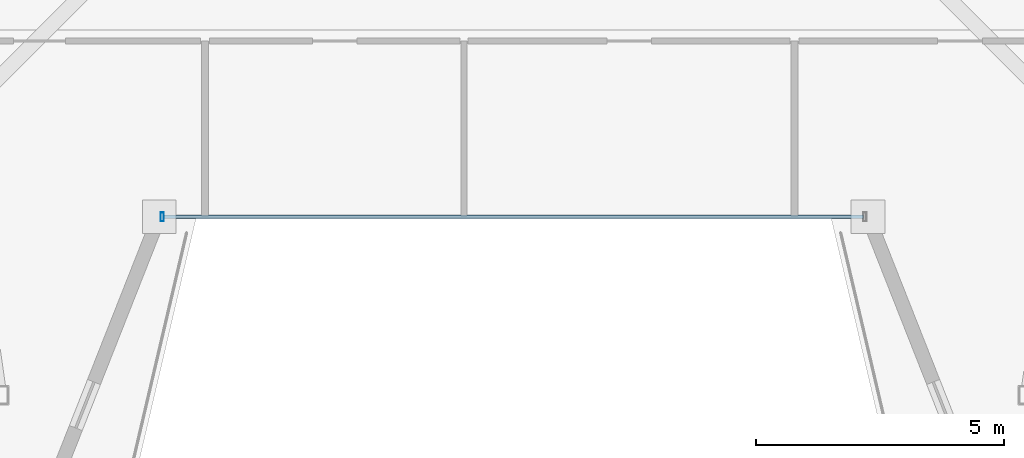
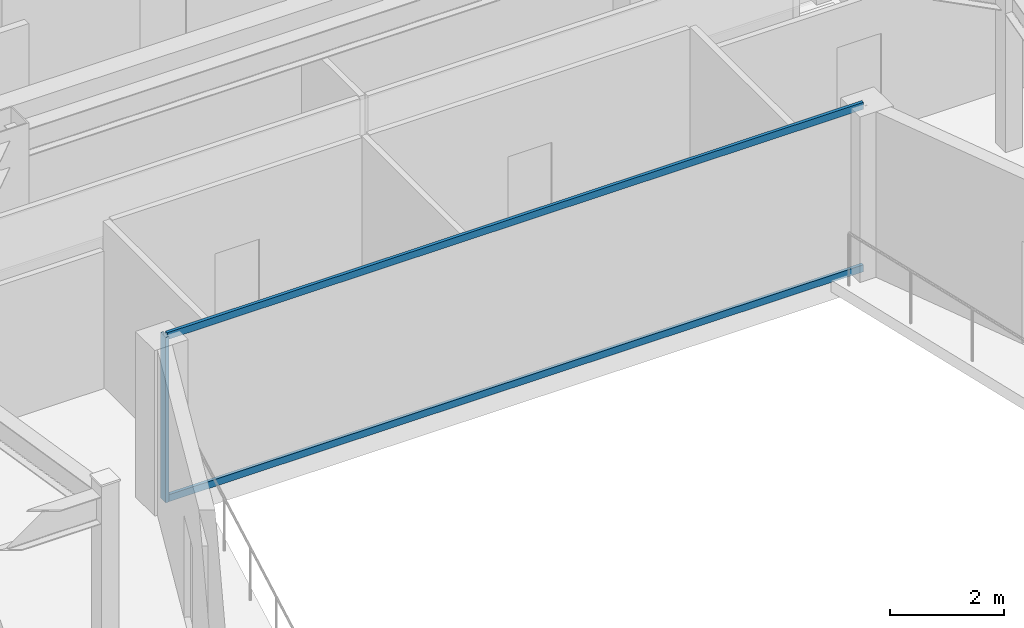
# One storey, part 5 of 25: 3 members, 1 element without a shape of its own.
"""IFC4 building model written with IfcOpenShell, lengths in metres."""

import ifcopenshell
import ifcopenshell.guid

model = None  # the IFC model being written
_history = None  # IfcOwnerHistory: only IFC2X3 demands one
_inside = {}  # id of a spatial element -> (the spatial element, [elements in it])
_under = {}  # id of a project, library or spatial element -> (it, [spatial elements below it])
_declared = {}  # id of a project -> (the project, [libraries it declares])
_typed = {}  # id of a type object -> (the type object, [elements of that type])
_made_of = {}  # id of a material, layer set ... -> (it, [elements and type objects made of it])


def new_model(schema):
    """Start an empty IFC model of exactly this schema.

    Asked for "IFC4X3", IfcOpenShell would pick the latest addendum, in which some entities
    have other attributes; the version numbers below select the first issue.
    IFC2X3 requires an IfcOwnerHistory on every rooted entity: one is made here for all.
    """
    global model, _history
    if schema == "IFC4X3":
        model = ifcopenshell.file(schema_version=(4, 3, 0, 0))
    else:
        model = ifcopenshell.file(schema=schema)
    _inside.clear()
    _under.clear()
    _declared.clear()
    _typed.clear()
    _made_of.clear()
    _history = None
    if model.schema == "IFC2X3":
        org = make("IfcOrganization", Name="unknown")
        user = make(
            "IfcPersonAndOrganization",
            ThePerson=make("IfcPerson", FamilyName="unknown"),
            TheOrganization=org,
        )
        app = make(
            "IfcApplication",
            ApplicationDeveloper=org,
            Version="unknown",
            ApplicationFullName="unknown",
            ApplicationIdentifier="unknown",
        )
        _history = make(
            "IfcOwnerHistory",
            OwningUser=user,
            OwningApplication=app,
            ChangeAction="ADDED",
            CreationDate=0,
        )
    return model


def make(cls, **values):
    """One entity of the class cls with the attributes given. An attribute that is None is left unset."""
    return model.create_entity(
        cls, **{name: value for name, value in values.items() if value is not None}
    )


def rooted(cls, **values):
    """An entity with a GlobalId (a new one), such as an element, a storey or a relation."""
    return make(cls, GlobalId=ifcopenshell.guid.new(), OwnerHistory=_history, **values)


def si_unit(unit_type, name, prefix=None):
    """IfcSIUnit, for example si_unit("LENGTHUNIT", "METRE", prefix="MILLI")."""
    return make("IfcSIUnit", UnitType=unit_type, Prefix=prefix, Name=name)


def assignment(units):
    """IfcUnitAssignment: the units of a project."""
    return None if units is None else make("IfcUnitAssignment", Units=units)


def point(xyz):
    """IfcCartesianPoint."""
    return None if xyz is None else make("IfcCartesianPoint", Coordinates=xyz)


def direction(xyz):
    """IfcDirection."""
    return None if xyz is None else make("IfcDirection", DirectionRatios=xyz)


def frame(location, z_axis=None, x_axis=None):
    """IfcAxis2Placement3D, a coordinate frame: its origin and axes. An axis left out is left unset."""
    return make(
        "IfcAxis2Placement3D",
        Location=point(location),
        Axis=direction(z_axis),
        RefDirection=direction(x_axis),
    )


def frame_2d(location, x_axis=None):
    """IfcAxis2Placement2D, a coordinate frame in the plane: its origin and x axis."""
    return make(
        "IfcAxis2Placement2D", Location=point(location), RefDirection=direction(x_axis)
    )


def origin():
    """The frame at (0, 0, 0) with its axes left unset."""
    return frame((0.0, 0.0, 0.0))


def origin_2d():
    """The frame at (0, 0) in the plane with its x axis left unset."""
    return frame_2d((0.0, 0.0))


def place(relative_to, where):
    """IfcLocalPlacement: puts the frame where relative to a parent placement (None: the world)."""
    return make(
        "IfcLocalPlacement", PlacementRelTo=relative_to, RelativePlacement=where
    )


def context(
    kind, dimensions, precision=None, world=None, true_north=None, identifier=None
):
    """IfcGeometricRepresentationContext, for example the 3D "Model" context."""
    return make(
        "IfcGeometricRepresentationContext",
        ContextIdentifier=identifier,
        ContextType=kind,
        CoordinateSpaceDimension=dimensions,
        Precision=precision,
        WorldCoordinateSystem=world,
        TrueNorth=true_north,
    )


def subcontext(parent, identifier, kind, view, scale=None):
    """IfcGeometricRepresentationSubContext, for example "Body" below "Model"."""
    return make(
        "IfcGeometricRepresentationSubContext",
        ContextIdentifier=identifier,
        ContextType=kind,
        ParentContext=parent,
        TargetScale=scale,
        TargetView=view,
    )


def project(units=None, contexts=None):
    """IfcProject with its units and contexts."""
    return rooted(
        "IfcProject",
        Name="project",
        RepresentationContexts=contexts,
        UnitsInContext=assignment(units),
    )


def spatial(cls, under=None, at=None, **own):
    """A site, building, storey or space (cls), placed at a placement, below another one or the project."""
    s = rooted(cls, ObjectPlacement=at, **own)
    if under is not None:
        _under.setdefault(under.id(), (under, []))[1].append(s)
    return s


def profile(cls, at=None, kind="AREA", **sizes):
    """A parametric profile (cls). Its sizes go by their IFC names, for example OverallWidth=200.0."""
    return make(cls, ProfileType=kind, Position=at, **sizes)


def hollow_rectangle(**sizes):
    """IfcRectangleHollowProfileDef."""
    return profile("IfcRectangleHollowProfileDef", **sizes)


def extrude(swept, where, along, depth):
    """IfcExtrudedAreaSolid: the profile swept, set in the frame where, extruded along a direction by depth."""
    return make(
        "IfcExtrudedAreaSolid",
        SweptArea=swept,
        Position=where,
        ExtrudedDirection=direction(along),
        Depth=depth,
    )


def shape(context_of_items, identifier, shape_type, items):
    """IfcShapeRepresentation: the items that make up one representation, for example the "Body"."""
    return make(
        "IfcShapeRepresentation",
        ContextOfItems=context_of_items,
        RepresentationIdentifier=identifier,
        RepresentationType=shape_type,
        Items=items,
    )


def material(Name=None, Category=None):
    """IfcMaterial."""
    return make("IfcMaterial", Name=Name, Category=Category)


def material_profile(
    of_material, cross_section, Name=None, Category=None, Priority=None
):
    """IfcMaterialProfile: a cross section and its material."""
    return make(
        "IfcMaterialProfile",
        Name=Name,
        Material=of_material,
        Profile=cross_section,
        Priority=Priority,
        Category=Category,
    )


def profile_set(profiles, Name=None, composite=None):
    """IfcMaterialProfileSet."""
    return make(
        "IfcMaterialProfileSet",
        Name=Name,
        MaterialProfiles=profiles,
        CompositeProfile=composite,
    )


def made_of(thing, what):
    """Note that an element or type object is made of a material, layer set ...; save() writes the relation."""
    if what is not None:
        _made_of.setdefault(what.id(), (what, []))[1].append(thing)
    return thing


def type_object(cls, material=None, **own):
    """A type object (cls), such as IfcWallType, which elements share."""
    return made_of(rooted(cls, **own), material)


def element(
    cls,
    number,
    at=None,
    inside=None,
    cuts=None,
    type_object=None,
    material=None,
    context=None,
    identifier="Body",
    shape_type=None,
    held_by="IfcProductDefinitionShape",
    body=None,
    shapes=None,
    **own,
):
    """One element of the class cls, such as IfcWall. Its Tag is "e" and its number.

    at: its placement. inside: the storey or other place that contains it. cuts: it is an
    opening in that element (IfcRelVoidsElement). A single representation is given by context,
    identifier, shape_type and body (its items); several are given by shapes. held_by: the class
    of the entity that holds the representations. save() writes the other relations.
    """
    e = rooted(cls, Tag="e%d" % number, ObjectPlacement=at, **own)
    if body is not None:
        shapes = [shape(context, identifier, shape_type, body)]
    if shapes is not None:
        e.Representation = make(held_by, Representations=shapes)
    if inside is not None:
        _inside.setdefault(inside.id(), (inside, []))[1].append(e)
    if cuts is not None:
        rooted(
            "IfcRelVoidsElement", RelatingBuildingElement=cuts, RelatedOpeningElement=e
        )
    if type_object is not None:
        _typed.setdefault(type_object.id(), (type_object, []))[1].append(e)
    return made_of(e, material)


def aggregate(whole, parts):
    """IfcRelAggregates: a whole, such as a stair, and the parts it consists of."""
    return rooted("IfcRelAggregates", RelatingObject=whole, RelatedObjects=parts)


def save(model, path):
    """Write the relations noted so far, then the file.

    IfcRelAggregates (storeys below a building ...), IfcRelContainedInSpatialStructure (elements
    in a storey), IfcRelDefinesByType, IfcRelAssociatesMaterial and IfcRelDeclares: one each for
    every whole, place, type object, material and project.
    """
    for whole, parts in _under.values():
        aggregate(whole, parts)
    for where, things in _inside.values():
        rooted(
            "IfcRelContainedInSpatialStructure",
            RelatedElements=things,
            RelatingStructure=where,
        )
    for kind, things in _typed.values():
        rooted("IfcRelDefinesByType", RelatedObjects=things, RelatingType=kind)
    for what, things in _made_of.values():
        rooted("IfcRelAssociatesMaterial", RelatedObjects=things, RelatingMaterial=what)
    for by, libraries in _declared.values():
        rooted("IfcRelDeclares", RelatingContext=by, RelatedDefinitions=libraries)
    model.write(path)


model = new_model("IFC4")

# Units and contexts
model_context = context("Model", 3, precision=1e-05, world=origin(), true_north=direction((0.0, 1.0)))
body_context = subcontext(model_context, "Body", "Model", "MODEL_VIEW")
ifc_project = project(units=[si_unit("LENGTHUNIT", "METRE"), si_unit("AREAUNIT", "SQUARE_METRE"), si_unit("VOLUMEUNIT", "CUBIC_METRE"), si_unit("PLANEANGLEUNIT", "RADIAN"), si_unit("MASSUNIT", "GRAM", prefix="KILO")], contexts=[model_context])

# Site, building, storey
site_placement = place(None, origin())
site = spatial("IfcSite", under=ifc_project, at=site_placement, CompositionType="ELEMENT")
building_placement = place(site_placement, origin())
building = spatial("IfcBuilding", under=site, at=building_placement, Name="Saevonmaru Cultural Tower", CompositionType="ELEMENT")
storey_placement = place(building_placement, frame((0.0, 0.0, 276.199951171875)))
storey = spatial("IfcBuildingStorey", under=building, at=storey_placement, Name="L65", CompositionType="ELEMENT", Elevation=276.199951171875)

# Curtain wall, members
ifc_material = material(Name="Satin Bronze Anodised Aluminium", Category="aluminium")
curtain_wall_type = type_object("IfcCurtainWallType", Name="CW-TYP-B", PredefinedType="NOTDEFINED", material=ifc_material)
curtain_wall_placement = place(storey_placement, origin())
curtain_wall = element("IfcCurtainWall", 1, at=curtain_wall_placement, inside=storey, type_object=curtain_wall_type, Name="L65 Unitised Curtain Wall E4", PredefinedType="NOTDEFINED")
ifc_material_profile_1 = material_profile(ifc_material, hollow_rectangle(XDim=0.06494140625, YDim=0.179931640625, WallThickness=0.00390625, at=origin_2d()), Name="ALU-MULL-180x65x4")
ifc_profile_set_1 = profile_set([ifc_material_profile_1], Name="Satin Bronze Anodised Aluminium")
member_type_1 = type_object("IfcMemberType", Name="ML-CW-180x65", PredefinedType="MULLION", material=ifc_profile_set_1)
member_1_placement = place(storey_placement, frame((22.904296875, 35.60009765625, 0.0), z_axis=(0.0, 0.0, 1.0), x_axis=(1.0, 0.0, 0.0)))
member_1 = element("IfcMember", 2, at=member_1_placement, type_object=member_type_1, Name="CW-TW-L65-E4 mullion 1", PredefinedType="MULLION", context=body_context, shape_type="SweptSolid", body=[
    extrude(hollow_rectangle(XDim=0.06494140625, YDim=0.179931640625, WallThickness=0.00390625, at=origin_2d()), origin(), (0.0, 0.0, 1.0), 3.550048828125),
])
ifc_material_profile_2 = material_profile(ifc_material, hollow_rectangle(XDim=0.06494140625, YDim=0.14990234375, WallThickness=0.00390625, at=origin_2d()), Name="ALU-TRAN-150x65x4")
ifc_profile_set_2 = profile_set([ifc_material_profile_2], Name="Satin Bronze Anodised Aluminium")
member_type_2 = type_object("IfcMemberType", Name="TR-CW-150x65", PredefinedType="USERDEFINED", material=ifc_profile_set_2)
member_2_placement = place(storey_placement, frame((22.93701171875, 35.60009765625, 0.032470703125), z_axis=(1.0, 0.0, 0.0), x_axis=(0.0, 1.0, 0.0)))
member_2 = element("IfcMember", 3, at=member_2_placement, type_object=member_type_2, Name="CW-TW-L65-E4 transom 1.1", ObjectType="TRANSOM", PredefinedType="USERDEFINED", context=body_context, shape_type="SweptSolid", body=[
    extrude(hollow_rectangle(XDim=0.06494140625, YDim=0.14990234375, WallThickness=0.00390625, at=origin_2d()), origin(), (0.0, 0.0, 1.0), 14.1259765625),
])
member_3_placement = place(storey_placement, frame((22.93701171875, 35.60009765625, 3.517578125), z_axis=(1.0, 0.0, 0.0), x_axis=(0.0, 1.0, 0.0)))
member_3 = element("IfcMember", 4, at=member_3_placement, type_object=member_type_2, Name="CW-TW-L65-E4 transom 1.2", ObjectType="TRANSOM", PredefinedType="USERDEFINED", context=body_context, shape_type="SweptSolid", body=[
    extrude(hollow_rectangle(XDim=0.06494140625, YDim=0.14990234375, WallThickness=0.00390625, at=origin_2d()), origin(), (0.0, 0.0, 1.0), 14.1259765625),
])
aggregate(curtain_wall, [member_1, member_2, member_3])

save(model, "model.ifc")
